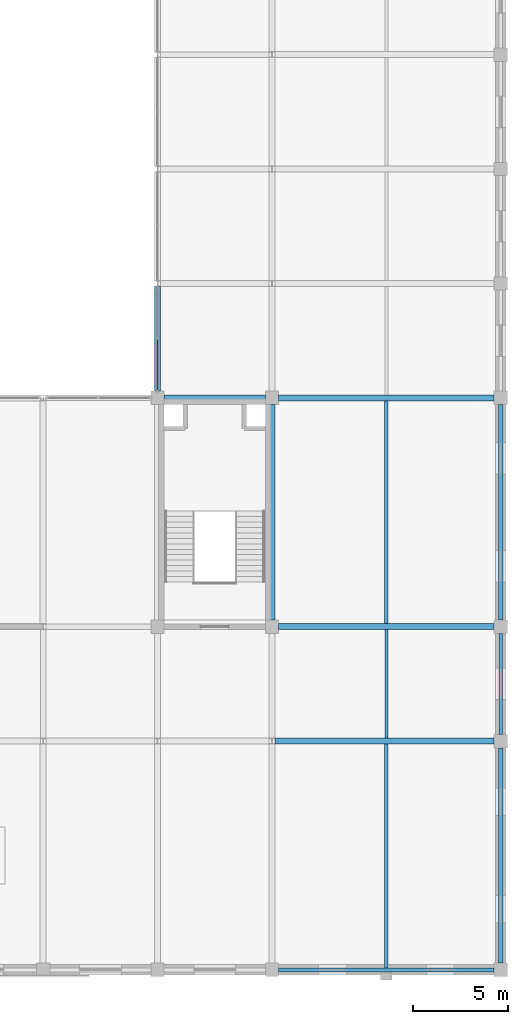
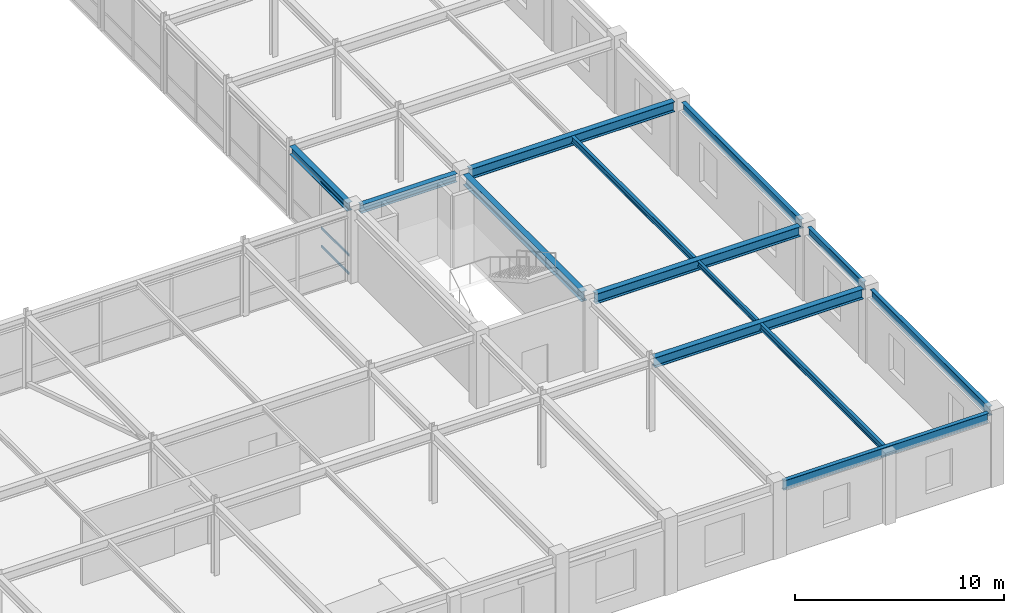
# One storey, part 83 of 108: 13 beams, 3 members, 1 element without a shape of its own.
"""IFC4 building model written with IfcOpenShell, lengths in metres."""

from ifc_helpers import new_model, si_unit, direction, frame, origin, origin_2d, place, context, subcontext, project, spatial, hollow_rectangle, i_section, extrude, material, layer, layer_set, material_profile, profile_set, type_object, element, aggregate, save


model = new_model("IFC4")

# Units and contexts
model_context = context("Model", 3, precision=1e-05, world=origin(), true_north=direction((0.0, 1.0)))
body_context = subcontext(model_context, "Body", "Model", "MODEL_VIEW")
ifc_project = project(units=[si_unit("LENGTHUNIT", "METRE"), si_unit("AREAUNIT", "SQUARE_METRE"), si_unit("VOLUMEUNIT", "CUBIC_METRE"), si_unit("PLANEANGLEUNIT", "RADIAN"), si_unit("MASSUNIT", "GRAM", prefix="KILO")], contexts=[model_context])

# Site, building, storey
site_placement = place(None, origin())
site = spatial("IfcSite", under=ifc_project, at=site_placement, CompositionType="ELEMENT")
building_placement = place(site_placement, origin())
building = spatial("IfcBuilding", under=site, at=building_placement, Name="Zlatovratsky Civic Hall", CompositionType="ELEMENT")
storey_placement = place(building_placement, frame((0.0, 0.0, 12.0)))
storey = spatial("IfcBuildingStorey", under=building, at=storey_placement, Name="L03", CompositionType="ELEMENT", Elevation=12.0)

# Beams
ifc_material_1 = material(Name="Steel S355", Category="steel")
ifc_material_profile_1 = material_profile(ifc_material_1, i_section(OverallWidth=0.300048828125, OverallDepth=0.48193359375, WebThickness=0.010986328125, FlangeThickness=0.014892578125, FilletRadius=0.02392578125, at=origin_2d()), Name="50Sh1")
ifc_profile_set_1 = profile_set([ifc_material_profile_1], Name="Steel S355")
beam_type_1 = type_object("IfcBeamType", Name="Beam_LibraryGirder_50Sh1", PredefinedType="BEAM", material=ifc_profile_set_1)
beam_1_placement = place(storey_placement, frame((150.35009765625, 30.0, 3.97900390625), z_axis=(1.0, 0.0, 0.0), x_axis=(0.0, 1.0, 0.0)))
element("IfcBeam", 1, at=beam_1_placement, inside=storey, type_object=beam_type_1, Name="BM-2541", PredefinedType="BEAM", context=body_context, shape_type="SweptSolid", body=[
    extrude(i_section(OverallWidth=0.300048828125, OverallDepth=0.48193359375, WebThickness=0.010986328125, FlangeThickness=0.014892578125, FilletRadius=0.02392578125, at=origin_2d()), origin(), (0.0, 0.0, 1.0), 5.2998046875),
])
beam_2_placement = place(storey_placement, frame((150.0, 30.35009765625, 3.97900390625), z_axis=(0.0, 1.0, 0.0), x_axis=(-1.0, 0.0, 0.0)))
element("IfcBeam", 2, at=beam_2_placement, inside=storey, type_object=beam_type_1, Name="BM-3072", PredefinedType="BEAM", context=body_context, shape_type="SweptSolid", body=[
    extrude(i_section(OverallWidth=0.300048828125, OverallDepth=0.48193359375, WebThickness=0.010986328125, FlangeThickness=0.014892578125, FilletRadius=0.02392578125, at=origin_2d()), origin(), (0.0, 0.0, 1.0), 5.501953125),
])
ifc_material_profile_2 = material_profile(ifc_material_1, i_section(OverallWidth=0.320068359375, OverallDepth=0.58203125, WebThickness=0.011962890625, FlangeThickness=0.01708984375, FilletRadius=0.02392578125, at=origin_2d()), Name="60Sh1")
ifc_profile_set_2 = profile_set([ifc_material_profile_2], Name="Steel S355")
beam_type_2 = type_object("IfcBeamType", Name="Beam_PodiumGirder_60Sh1", PredefinedType="BEAM", material=ifc_profile_set_2)
beam_3_placement = place(storey_placement, frame((156.1494140625, 12.0, 3.928955078125), z_axis=(1.0, 0.0, 0.0), x_axis=(0.0, 1.0, 0.0)))
element("IfcBeam", 3, at=beam_3_placement, inside=storey, type_object=beam_type_2, Name="BM-2502", PredefinedType="BEAM", context=body_context, shape_type="SweptSolid", body=[
    extrude(i_section(OverallWidth=0.320068359375, OverallDepth=0.58203125, WebThickness=0.011962890625, FlangeThickness=0.01708984375, FilletRadius=0.02392578125, at=origin_2d()), origin(), (0.0, 0.0, 1.0), 11.50048828125),
])
for number, where, z_axis, x_axis, name in (
    (4, (156.35009765625, 18.0, 3.928955078125), (1.0, 0.0, 0.0), (0.0, 1.0, 0.0), "BM-2524"),
    (5, (156.35009765625, 30.0, 3.928955078125), (1.0, 0.0, 0.0), (0.0, 1.0, 0.0), "BM-2542"),
    (6, (156.0, 18.35009765625, 3.928955078125), (0.0, 1.0, 0.0), (-1.0, 0.0, 0.0), "BM-3088"),
):
    element("IfcBeam", number, at=place(storey_placement, frame(where, z_axis=z_axis, x_axis=x_axis)), inside=storey, type_object=beam_type_2, Name=name, PredefinedType="BEAM", context=body_context, shape_type="SweptSolid", body=[
        extrude(i_section(OverallWidth=0.320068359375, OverallDepth=0.58203125, WebThickness=0.011962890625, FlangeThickness=0.01708984375, FilletRadius=0.02392578125, at=origin_2d()), origin(), (0.0, 0.0, 1.0), 11.2998046875),
    ])
ifc_material_profile_3 = material_profile(ifc_material_1, i_section(OverallWidth=0.198974609375, OverallDepth=0.491943359375, WebThickness=0.0087890625, FlangeThickness=0.011962890625, FilletRadius=0.01611328125, at=origin_2d()), Name="50B1")
ifc_profile_set_3 = profile_set([ifc_material_profile_3], Name="Steel S355")
beam_type_3 = type_object("IfcBeamType", Name="Beam_Spandrel_50B1", PredefinedType="SPANDREL", material=ifc_profile_set_3)
beam_4_placement = place(storey_placement, frame((168.0, 12.35009765625, 3.97412109375), z_axis=(0.0, 1.0, 0.0), x_axis=(-1.0, 0.0, 0.0)))
element("IfcBeam", 7, at=beam_4_placement, inside=storey, type_object=beam_type_3, Name="BM-3104", PredefinedType="SPANDREL", context=body_context, shape_type="SweptSolid", body=[
    extrude(i_section(OverallWidth=0.198974609375, OverallDepth=0.491943359375, WebThickness=0.0087890625, FlangeThickness=0.011962890625, FilletRadius=0.01611328125, at=origin_2d()), origin(), (0.0, 0.0, 1.0), 5.2998046875),
])
ifc_material_profile_4 = material_profile(ifc_material_1, i_section(OverallWidth=0.219970703125, OverallDepth=0.54296875, WebThickness=0.009521484375, FlangeThickness=0.013427734375, FilletRadius=0.01806640625, at=origin_2d()), Name="55B1")
ifc_profile_set_4 = profile_set([ifc_material_profile_4], Name="Steel S355")
beam_type_4 = type_object("IfcBeamType", Name="Beam_Spandrel_55B1", PredefinedType="SPANDREL", material=ifc_profile_set_4)
for number, where, z_axis, x_axis, name in (
    (8, (156.35009765625, 0.0, 3.948486328125), (1.0, 0.0, 0.0), (0.0, 1.0, 0.0), "BM-2480"),
    (9, (168.0, 0.35009765625, 3.948486328125), (0.0, 1.0, 0.0), (-1.0, 0.0, 0.0), "BM-3103"),
    (10, (168.0, 18.35009765625, 3.948486328125), (0.0, 1.0, 0.0), (-1.0, 0.0, 0.0), "BM-3105"),
):
    element("IfcBeam", number, at=place(storey_placement, frame(where, z_axis=z_axis, x_axis=x_axis)), inside=storey, type_object=beam_type_4, Name=name, PredefinedType="SPANDREL", context=body_context, shape_type="SweptSolid", body=[
        extrude(i_section(OverallWidth=0.219970703125, OverallDepth=0.54296875, WebThickness=0.009521484375, FlangeThickness=0.013427734375, FilletRadius=0.01806640625, at=origin_2d()), origin(), (0.0, 0.0, 1.0), 11.2998046875),
    ])

# Curtain wall, members
ifc_material_2 = material(Name="Anodised bronze aluminium", Category="aluminium")
ifc_layer = layer(ifc_material_2, 0.159912109375)
ifc_layer_set = layer_set([ifc_layer], Name="Anodised bronze aluminium")
curtain_wall_type = type_object("IfcCurtainWallType", Name="CurtainWall_Bronze_5500x3770_10", PredefinedType="NOTDEFINED", material=ifc_layer_set)
curtain_wall_placement = place(storey_placement, origin())
curtain_wall = element("IfcCurtainWall", 11, at=curtain_wall_placement, inside=storey, type_object=curtain_wall_type, Name="CW-081", PredefinedType="NOTDEFINED")
ifc_material_profile_5 = material_profile(ifc_material_2, hollow_rectangle(XDim=0.06005859375, YDim=0.1201171875, WallThickness=0.00390625, at=origin_2d()), Name="ALU 60x120x4")
ifc_profile_set_5 = profile_set([ifc_material_profile_5], Name="Anodised bronze aluminium")
member_type = type_object("IfcMemberType", Name="CW_Transom_60x120", PredefinedType="USERDEFINED", material=ifc_profile_set_5)
member_1_placement = place(storey_placement, frame((150.0, 30.409912109375, 0.030029296875), z_axis=(0.0, 1.0, 0.0), x_axis=(-1.0, 0.0, 0.0)))
member_1 = element("IfcMember", 12, at=member_1_placement, type_object=member_type, Name="CW-10 transom 1.1", ObjectType="TRANSOM", PredefinedType="USERDEFINED", context=body_context, shape_type="SweptSolid", body=[
    extrude(hollow_rectangle(XDim=0.06005859375, YDim=0.1201171875, WallThickness=0.00390625, at=origin_2d()), origin(), (0.0, 0.0, 1.0), 2.6611328125),
])
member_2_placement = place(storey_placement, frame((150.0, 30.409912109375, 1.10009765625), z_axis=(0.0, 1.0, 0.0), x_axis=(-1.0, 0.0, 0.0)))
member_2 = element("IfcMember", 13, at=member_2_placement, type_object=member_type, Name="CW-10 transom 1.2", ObjectType="TRANSOM", PredefinedType="USERDEFINED", context=body_context, shape_type="SweptSolid", body=[
    extrude(hollow_rectangle(XDim=0.06005859375, YDim=0.1201171875, WallThickness=0.00390625, at=origin_2d()), origin(), (0.0, 0.0, 1.0), 2.6611328125),
])
member_3_placement = place(storey_placement, frame((150.0, 30.409912109375, 3.739990234375), z_axis=(0.0, 1.0, 0.0), x_axis=(-1.0, 0.0, 0.0)))
member_3 = element("IfcMember", 14, at=member_3_placement, type_object=member_type, Name="CW-10 transom 1.3", ObjectType="TRANSOM", PredefinedType="USERDEFINED", context=body_context, shape_type="SweptSolid", body=[
    extrude(hollow_rectangle(XDim=0.06005859375, YDim=0.1201171875, WallThickness=0.00390625, at=origin_2d()), origin(), (0.0, 0.0, 1.0), 2.6611328125),
])
aggregate(curtain_wall, [member_1, member_2, member_3])

# Beams
ifc_material_profile_6 = material_profile(ifc_material_1, i_section(OverallWidth=0.175048828125, OverallDepth=0.35009765625, WebThickness=0.007080078125, FlangeThickness=0.010986328125, FilletRadius=0.013916015625, at=origin_2d()), Name="35B2")
ifc_profile_set_6 = profile_set([ifc_material_profile_6], Name="Steel S355")
beam_type_5 = type_object("IfcBeamType", Name="Joist_Heavy_35B2", PredefinedType="JOIST", material=ifc_profile_set_6)
beam_5_placement = place(storey_placement, frame((162.0, 0.110107421875, 4.044921875), z_axis=(0.0, 1.0, 0.0), x_axis=(-1.0, 0.0, 0.0)))
element("IfcBeam", 15, at=beam_5_placement, inside=storey, type_object=beam_type_5, Name="BM-3125", PredefinedType="JOIST", context=body_context, shape_type="SweptSolid", body=[
    extrude(i_section(OverallWidth=0.175048828125, OverallDepth=0.35009765625, WebThickness=0.007080078125, FlangeThickness=0.010986328125, FilletRadius=0.013916015625, at=origin_2d()), origin(), (0.0, 0.0, 1.0), 11.72998046875),
])
beam_6_placement = place(storey_placement, frame((162.0, 18.159912109375, 4.044921875), z_axis=(0.0, 1.0, 0.0), x_axis=(-1.0, 0.0, 0.0)))
element("IfcBeam", 16, at=beam_6_placement, inside=storey, type_object=beam_type_5, Name="BM-3137", PredefinedType="JOIST", context=body_context, shape_type="SweptSolid", body=[
    extrude(i_section(OverallWidth=0.175048828125, OverallDepth=0.35009765625, WebThickness=0.007080078125, FlangeThickness=0.010986328125, FilletRadius=0.013916015625, at=origin_2d()), origin(), (0.0, 0.0, 1.0), 11.68017578125),
])
ifc_material_profile_7 = material_profile(ifc_material_1, i_section(OverallWidth=0.14892578125, OverallDepth=0.2958984375, WebThickness=0.005615234375, FlangeThickness=0.008056640625, FilletRadius=0.012939453125, at=origin_2d()), Name="30B1")
ifc_profile_set_7 = profile_set([ifc_material_profile_7], Name="Steel S355")
beam_type_6 = type_object("IfcBeamType", Name="Joist_Tower_30B1", PredefinedType="JOIST", material=ifc_profile_set_7)
beam_7_placement = place(storey_placement, frame((162.0, 12.159912109375, 4.072021484375), z_axis=(0.0, 1.0, 0.0), x_axis=(-1.0, 0.0, 0.0)))
element("IfcBeam", 17, at=beam_7_placement, inside=storey, type_object=beam_type_6, Name="BM-3131", PredefinedType="JOIST", context=body_context, shape_type="SweptSolid", body=[
    extrude(i_section(OverallWidth=0.14892578125, OverallDepth=0.2958984375, WebThickness=0.005615234375, FlangeThickness=0.008056640625, FilletRadius=0.012939453125, at=origin_2d()), origin(), (0.0, 0.0, 1.0), 5.68017578125),
])

save(model, "model.ifc")
